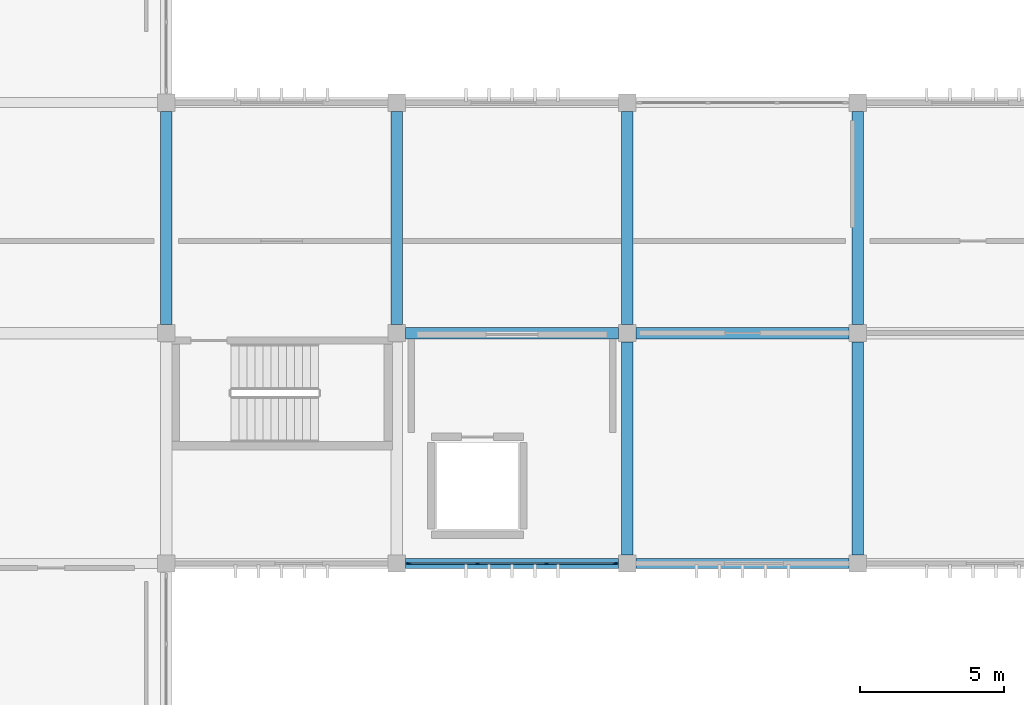
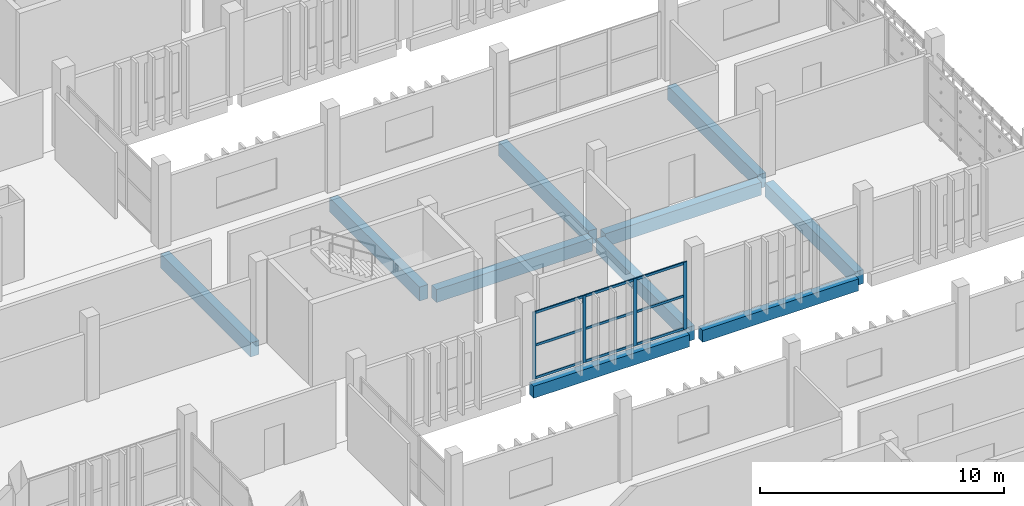
# One storey, part 27 of 83: 13 members, 10 beams, 1 element without a shape of its own.
"""IFC4 building model written with IfcOpenShell, lengths in metres."""

from ifc_helpers import new_model, si_unit, direction, frame, origin, origin_2d, place, context, subcontext, project, spatial, rectangle, extrude, material, layer, layer_set, material_profile, profile_set, type_object, element, aggregate, save


model = new_model("IFC4")

# Units and contexts
model_context = context("Model", 3, precision=1e-05, world=origin(), true_north=direction((0.0, 1.0)))
body_context = subcontext(model_context, "Body", "Model", "MODEL_VIEW")
ifc_project = project(units=[si_unit("LENGTHUNIT", "METRE"), si_unit("AREAUNIT", "SQUARE_METRE"), si_unit("VOLUMEUNIT", "CUBIC_METRE"), si_unit("PLANEANGLEUNIT", "RADIAN"), si_unit("MASSUNIT", "GRAM", prefix="KILO")], contexts=[model_context])

# Site, building, storey
site_placement = place(None, origin())
site = spatial("IfcSite", under=ifc_project, at=site_placement, CompositionType="ELEMENT")
building_placement = place(site_placement, origin())
building = spatial("IfcBuilding", under=site, at=building_placement, Name="Jelvoka-Kovrelna Polytechnic", CompositionType="ELEMENT")
storey_placement = place(building_placement, frame((0.0, 0.0, 13.800048828125)))
storey = spatial("IfcBuildingStorey", under=building, at=storey_placement, Name="L04", CompositionType="ELEMENT", Elevation=13.800048828125)

# Beams
ifc_material_1 = material(Name="Concrete C40/50", Category="concrete")
ifc_material_profile_1 = material_profile(ifc_material_1, rectangle(XDim=0.39990234375, YDim=0.64990234375, at=origin_2d()), Name="RC 400x650")
ifc_profile_set_1 = profile_set([ifc_material_profile_1], Name="Concrete C40/50")
beam_type_1 = type_object("IfcBeamType", Name="Beam_RC_400x650", PredefinedType="BEAM", material=ifc_profile_set_1)
for number, where, z_axis, x_axis, name in (
    (1, (88.304931640625, 40.0, -0.574951171875), (1.0, 0.0, 0.0), (0.0, 1.0, 0.0), "L04 beam 1186"),
    (2, (96.304931640625, 40.0, -0.574951171875), (1.0, 0.0, 0.0), (0.0, 1.0, 0.0), "L04 beam 1187"),
):
    element("IfcBeam", number, at=place(storey_placement, frame(where, z_axis=z_axis, x_axis=x_axis)), inside=storey, type_object=beam_type_1, Name=name, PredefinedType="BEAM", context=body_context, shape_type="SweptSolid", body=[
        extrude(rectangle(XDim=0.39990234375, YDim=0.64990234375, at=origin_2d()), origin(), (0.0, 0.0, 1.0), 7.39013671875),
    ])
ifc_material_2 = material(Name="Concrete C40/50", Category="concrete")
ifc_material_profile_2 = material_profile(ifc_material_2, rectangle(XDim=0.39990234375, YDim=0.699951171875, at=origin_2d()), Name="RC 400x700")
ifc_profile_set_2 = profile_set([ifc_material_profile_2], Name="Concrete C40/50")
beam_type_2 = type_object("IfcBeamType", Name="Beam_RC_400x700", PredefinedType="BEAM", material=ifc_profile_set_2)
for number, where, z_axis, x_axis, name in (
    (3, (80.0, 40.304931640625, -0.60009765625), (0.0, 1.0, 0.0), (-1.0, 0.0, 0.0), "L04 beam 1203"),
    (4, (88.0, 40.304931640625, -0.60009765625), (0.0, 1.0, 0.0), (-1.0, 0.0, 0.0), "L04 beam 1205"),
    (5, (96.0, 32.304931640625, -0.60009765625), (0.0, 1.0, 0.0), (-1.0, 0.0, 0.0), "L04 beam 1206"),
    (6, (96.0, 40.304931640625, -0.60009765625), (0.0, 1.0, 0.0), (-1.0, 0.0, 0.0), "L04 beam 1207"),
    (7, (104.0, 32.304931640625, -0.60009765625), (0.0, 1.0, 0.0), (-1.0, 0.0, 0.0), "L04 beam 1208"),
    (8, (104.0, 40.304931640625, -0.60009765625), (0.0, 1.0, 0.0), (-1.0, 0.0, 0.0), "L04 beam 1209"),
):
    element("IfcBeam", number, at=place(storey_placement, frame(where, z_axis=z_axis, x_axis=x_axis)), inside=storey, type_object=beam_type_2, Name=name, PredefinedType="BEAM", context=body_context, shape_type="SweptSolid", body=[
        extrude(rectangle(XDim=0.39990234375, YDim=0.699951171875, at=origin_2d()), origin(), (0.0, 0.0, 1.0), 7.39013671875),
    ])

# Curtain wall, members
ifc_material_3 = material(Name="Anodised aluminium 6063-T6", Category="aluminium")
ifc_layer = layer(ifc_material_3, 0.159912109375)
ifc_layer_set = layer_set([ifc_layer], Name="Anodised aluminium 6063-T6")
curtain_wall_type = type_object("IfcCurtainWallType", Name="CW_Recessed_A", PredefinedType="NOTDEFINED", material=ifc_layer_set)
curtain_wall_placement = place(storey_placement, origin())
curtain_wall = element("IfcCurtainWall", 9, at=curtain_wall_placement, inside=storey, type_object=curtain_wall_type, Name="L04 glazed curtain wall 029", PredefinedType="NOTDEFINED")
ifc_material_4 = material(Name="Anodised aluminium 6063-T6", Category="aluminium")
ifc_material_profile_3 = material_profile(ifc_material_4, rectangle(XDim=0.06005859375, YDim=0.159912109375, at=origin_2d()), Name="ALU 60x160")
ifc_profile_set_3 = profile_set([ifc_material_profile_3], Name="Anodised aluminium 6063-T6")
member_type_1 = type_object("IfcMemberType", Name="Mullion_M-01", PredefinedType="MULLION", material=ifc_profile_set_3)
member_1_placement = place(storey_placement, frame((95.570068359375, 32.0, -0.02490234375), z_axis=(0.0, 0.0, 1.0), x_axis=(0.0, -1.0, 0.0)))
member_1 = element("IfcMember", 10, at=member_1_placement, type_object=member_type_1, Name="CW-01 mullion 1", PredefinedType="MULLION", context=body_context, shape_type="SweptSolid", body=[
    extrude(rectangle(XDim=0.06005859375, YDim=0.159912109375, at=origin_2d()), origin(), (0.0, 0.0, 1.0), 3.375),
])
member_2_placement = place(storey_placement, frame((93.199951171875, 32.0, -0.02490234375), z_axis=(0.0, 0.0, 1.0), x_axis=(0.0, -1.0, 0.0)))
member_2 = element("IfcMember", 11, at=member_2_placement, type_object=member_type_1, Name="CW-01 mullion 2", PredefinedType="MULLION", context=body_context, shape_type="SweptSolid", body=[
    extrude(rectangle(XDim=0.06005859375, YDim=0.159912109375, at=origin_2d()), origin(), (0.0, 0.0, 1.0), 3.375),
])
member_3_placement = place(storey_placement, frame((90.800048828125, 32.0, -0.02490234375), z_axis=(0.0, 0.0, 1.0), x_axis=(0.0, -1.0, 0.0)))
member_3 = element("IfcMember", 12, at=member_3_placement, type_object=member_type_1, Name="CW-01 mullion 3", PredefinedType="MULLION", context=body_context, shape_type="SweptSolid", body=[
    extrude(rectangle(XDim=0.06005859375, YDim=0.159912109375, at=origin_2d()), origin(), (0.0, 0.0, 1.0), 3.375),
])
member_4_placement = place(storey_placement, frame((88.429931640625, 32.0, -0.02490234375), z_axis=(0.0, 0.0, 1.0), x_axis=(0.0, -1.0, 0.0)))
member_4 = element("IfcMember", 13, at=member_4_placement, type_object=member_type_1, Name="CW-01 mullion 4", PredefinedType="MULLION", context=body_context, shape_type="SweptSolid", body=[
    extrude(rectangle(XDim=0.06005859375, YDim=0.159912109375, at=origin_2d()), origin(), (0.0, 0.0, 1.0), 3.375),
])

# Beams
ifc_material_5 = material(Name="Concrete C40/50", Category="concrete")
ifc_material_profile_4 = material_profile(ifc_material_5, rectangle(XDim=0.35009765625, YDim=0.60009765625, at=origin_2d()), Name="RC 350x600")
ifc_profile_set_4 = profile_set([ifc_material_profile_4], Name="Concrete C40/50")
beam_type_3 = type_object("IfcBeamType", Name="Spandrel_RC_350x600", PredefinedType="SPANDREL", material=ifc_profile_set_4)
for number, where, z_axis, x_axis, name in (
    (14, (88.304931640625, 32.0, -0.550048828125), (1.0, 0.0, 0.0), (0.0, 1.0, 0.0), "L04 beam 1180"),
    (15, (96.304931640625, 32.0, -0.550048828125), (1.0, 0.0, 0.0), (0.0, 1.0, 0.0), "L04 beam 1181"),
):
    element("IfcBeam", number, at=place(storey_placement, frame(where, z_axis=z_axis, x_axis=x_axis)), inside=storey, type_object=beam_type_3, Name=name, PredefinedType="SPANDREL", context=body_context, shape_type="SweptSolid", body=[
        extrude(rectangle(XDim=0.35009765625, YDim=0.60009765625, at=origin_2d()), origin(), (0.0, 0.0, 1.0), 7.39013671875),
    ])

# Member
ifc_material_6 = material(Name="Anodised aluminium 6063-T6", Category="aluminium")
ifc_material_profile_5 = material_profile(ifc_material_6, rectangle(XDim=0.06005859375, YDim=0.1201171875, at=origin_2d()), Name="ALU 60x120")
ifc_profile_set_5 = profile_set([ifc_material_profile_5], Name="Anodised aluminium 6063-T6")
member_type_2 = type_object("IfcMemberType", Name="Transom_T-01", PredefinedType="USERDEFINED", material=ifc_profile_set_5)
member_5_placement = place(storey_placement, frame((95.5400390625, 32.0, 0.030029296875), z_axis=(-1.0, 0.0, 0.0), x_axis=(0.0, -1.0, 0.0)))
member_5 = element("IfcMember", 16, at=member_5_placement, type_object=member_type_2, Name="CW-01 transom 1.1", ObjectType="TRANSOM", PredefinedType="USERDEFINED", context=body_context, shape_type="SweptSolid", body=[
    extrude(rectangle(XDim=0.06005859375, YDim=0.1201171875, at=origin_2d()), origin(), (0.0, 0.0, 1.0), 2.31005859375),
])

member_6_placement = place(storey_placement, frame((95.5400390625, 32.0, 1.662353515625), z_axis=(-1.0, 0.0, 0.0), x_axis=(0.0, -1.0, 0.0)))
member_6 = element("IfcMember", 17, at=member_6_placement, type_object=member_type_2, Name="CW-01 transom 1.2", ObjectType="TRANSOM", PredefinedType="USERDEFINED", context=body_context, shape_type="SweptSolid", body=[
    extrude(rectangle(XDim=0.06005859375, YDim=0.1201171875, at=origin_2d()), origin(), (0.0, 0.0, 1.0), 2.31005859375),
])

member_7_placement = place(storey_placement, frame((95.5400390625, 32.0, 3.294921875), z_axis=(-1.0, 0.0, 0.0), x_axis=(0.0, -1.0, 0.0)))
member_7 = element("IfcMember", 18, at=member_7_placement, type_object=member_type_2, Name="CW-01 transom 1.3", ObjectType="TRANSOM", PredefinedType="USERDEFINED", context=body_context, shape_type="SweptSolid", body=[
    extrude(rectangle(XDim=0.06005859375, YDim=0.1201171875, at=origin_2d()), origin(), (0.0, 0.0, 1.0), 2.31005859375),
])

member_8_placement = place(storey_placement, frame((93.169921875, 32.0, 0.030029296875), z_axis=(-1.0, 0.0, 0.0), x_axis=(0.0, -1.0, 0.0)))
member_8 = element("IfcMember", 19, at=member_8_placement, type_object=member_type_2, Name="CW-01 transom 2.1", ObjectType="TRANSOM", PredefinedType="USERDEFINED", context=body_context, shape_type="SweptSolid", body=[
    extrude(rectangle(XDim=0.06005859375, YDim=0.1201171875, at=origin_2d()), origin(), (0.0, 0.0, 1.0), 2.33984375),
])

member_9_placement = place(storey_placement, frame((93.169921875, 32.0, 1.662353515625), z_axis=(-1.0, 0.0, 0.0), x_axis=(0.0, -1.0, 0.0)))
member_9 = element("IfcMember", 20, at=member_9_placement, type_object=member_type_2, Name="CW-01 transom 2.2", ObjectType="TRANSOM", PredefinedType="USERDEFINED", context=body_context, shape_type="SweptSolid", body=[
    extrude(rectangle(XDim=0.06005859375, YDim=0.1201171875, at=origin_2d()), origin(), (0.0, 0.0, 1.0), 2.33984375),
])

member_10_placement = place(storey_placement, frame((93.169921875, 32.0, 3.294921875), z_axis=(-1.0, 0.0, 0.0), x_axis=(0.0, -1.0, 0.0)))
member_10 = element("IfcMember", 21, at=member_10_placement, type_object=member_type_2, Name="CW-01 transom 2.3", ObjectType="TRANSOM", PredefinedType="USERDEFINED", context=body_context, shape_type="SweptSolid", body=[
    extrude(rectangle(XDim=0.06005859375, YDim=0.1201171875, at=origin_2d()), origin(), (0.0, 0.0, 1.0), 2.33984375),
])

member_11_placement = place(storey_placement, frame((90.77001953125, 32.0, 0.030029296875), z_axis=(-1.0, 0.0, 0.0), x_axis=(0.0, -1.0, 0.0)))
member_11 = element("IfcMember", 22, at=member_11_placement, type_object=member_type_2, Name="CW-01 transom 3.1", ObjectType="TRANSOM", PredefinedType="USERDEFINED", context=body_context, shape_type="SweptSolid", body=[
    extrude(rectangle(XDim=0.06005859375, YDim=0.1201171875, at=origin_2d()), origin(), (0.0, 0.0, 1.0), 2.31005859375),
])

member_12_placement = place(storey_placement, frame((90.77001953125, 32.0, 1.662353515625), z_axis=(-1.0, 0.0, 0.0), x_axis=(0.0, -1.0, 0.0)))
member_12 = element("IfcMember", 23, at=member_12_placement, type_object=member_type_2, Name="CW-01 transom 3.2", ObjectType="TRANSOM", PredefinedType="USERDEFINED", context=body_context, shape_type="SweptSolid", body=[
    extrude(rectangle(XDim=0.06005859375, YDim=0.1201171875, at=origin_2d()), origin(), (0.0, 0.0, 1.0), 2.31005859375),
])

member_13_placement = place(storey_placement, frame((90.77001953125, 32.0, 3.294921875), z_axis=(-1.0, 0.0, 0.0), x_axis=(0.0, -1.0, 0.0)))
member_13 = element("IfcMember", 24, at=member_13_placement, type_object=member_type_2, Name="CW-01 transom 3.3", ObjectType="TRANSOM", PredefinedType="USERDEFINED", context=body_context, shape_type="SweptSolid", body=[
    extrude(rectangle(XDim=0.06005859375, YDim=0.1201171875, at=origin_2d()), origin(), (0.0, 0.0, 1.0), 2.31005859375),
])

aggregate(curtain_wall, [member_1, member_2, member_3, member_4, member_5, member_6, member_7, member_8, member_9, member_10, member_11, member_12, member_13])

save(model, "model.ifc")
